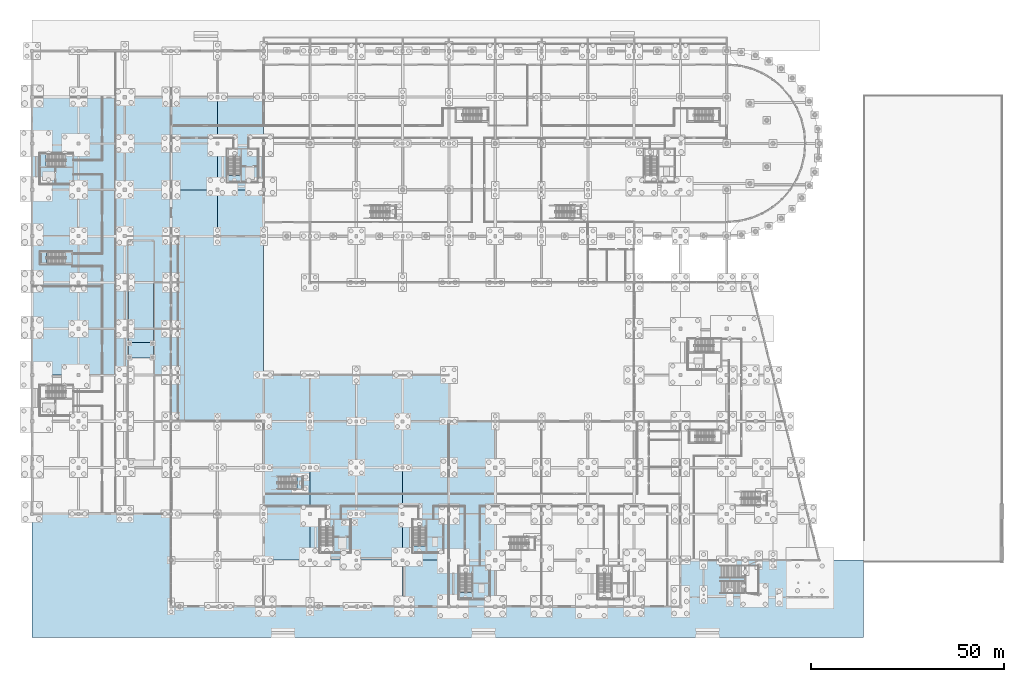
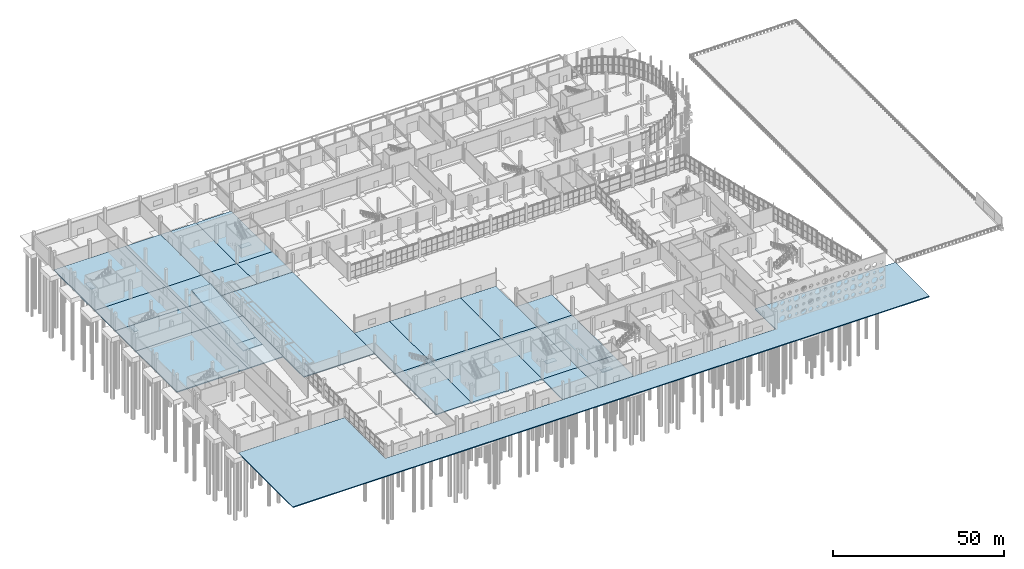
# One storey, part 63 of 117: 32 slabs, 7 elements without a shape of their own.
"""IFC4 building model written with IfcOpenShell, lengths in metres."""

from ifc_helpers import new_model, si_unit, direction, frame, origin, place, context, subcontext, project, spatial, polyline, outline, extrude, material, layer, layer_set, type_object, element, aggregate, save


model = new_model("IFC4")

# Units and contexts
model_context = context("Model", 3, precision=1e-05, world=origin(), true_north=direction((0.0, 1.0)))
body_context = subcontext(model_context, "Body", "Model", "MODEL_VIEW")
ifc_project = project(units=[si_unit("LENGTHUNIT", "METRE"), si_unit("AREAUNIT", "SQUARE_METRE"), si_unit("VOLUMEUNIT", "CUBIC_METRE"), si_unit("PLANEANGLEUNIT", "RADIAN"), si_unit("MASSUNIT", "GRAM", prefix="KILO")], contexts=[model_context])

# Site, building, storey
site_placement = place(None, origin())
site = spatial("IfcSite", under=ifc_project, at=site_placement, CompositionType="ELEMENT")
building_placement = place(site_placement, origin())
building = spatial("IfcBuilding", under=site, at=building_placement, Name="Kamomehara Wholesale Market", CompositionType="ELEMENT")
storey_placement = place(building_placement, origin())
storey = spatial("IfcBuildingStorey", under=building, at=storey_placement, Name="L00", CompositionType="ELEMENT", Elevation=0.0)

# Slabs
ifc_material_1 = material(Name="Concrete Fc30 (C30/37)", Category="concrete")
ifc_layer_1 = layer(ifc_material_1, 0.31201171875)
ifc_layer_set_1 = layer_set([ifc_layer_1], Name="Concrete Fc30 (C30/37)")
slab_type_1 = type_object("IfcSlabType", Name="SLB-BASE-300", PredefinedType="BASESLAB", material=ifc_layer_set_1)
slab_1_placement = place(storey_placement, frame((0.0, 0.0, -0.31201171875)))
element("IfcSlab", 1, at=slab_1_placement, inside=storey, type_object=slab_type_1, Name="Floor slab V1 L00 5", PredefinedType="BASESLAB", context=body_context, shape_type="SweptSolid", body=[
    extrude(outline(polyline([(60.0, 120.0), (48.0, 120.0), (48.0, 144.0), (60.0, 144.0), (60.0, 120.0)])), origin(), (0.0, 0.0, 1.0), 0.31201171875),
])
slab_2_placement = place(storey_placement, frame((0.0, 0.0, -0.31201171875)))
element("IfcSlab", 2, at=slab_2_placement, inside=storey, type_object=slab_type_1, Name="Floor slab V3 L00 25", PredefinedType="BASESLAB", context=body_context, shape_type="SweptSolid", body=[
    extrude(outline(polyline([(36.0, 72.0), (24.0, 72.0), (24.0, 96.0), (36.0, 96.0), (36.0, 72.0)])), origin(), (0.0, 0.0, 1.0), 0.31201171875),
])
slab_3_placement = place(storey_placement, frame((0.0, 0.0, -0.31201171875)))
element("IfcSlab", 3, at=slab_3_placement, inside=storey, type_object=slab_type_1, Name="Floor slab V3 L00 30", PredefinedType="BASESLAB", context=body_context, shape_type="SweptSolid", body=[
    extrude(outline(polyline([(36.0, 108.0), (24.0, 108.0), (24.0, 120.0), (36.0, 120.0), (36.0, 108.0)])), origin(), (0.0, 0.0, 1.0), 0.31201171875),
])
slab_4_placement = place(storey_placement, frame((0.0, 0.0, -0.31201171875)))
element("IfcSlab", 4, at=slab_4_placement, inside=storey, type_object=slab_type_1, Name="Floor slab V4 L00 40", PredefinedType="BASESLAB", context=body_context, shape_type="SweptSolid", body=[
    extrude(outline(polyline([(72.0, 48.0), (72.0, 24.0), (60.0, 24.0), (60.0, 48.0), (72.0, 48.0)])), origin(), (0.0, 0.0, 1.0), 0.31201171875),
])
slab_5_placement = place(storey_placement, frame((0.0, 0.0, -0.31201171875)))
element("IfcSlab", 5, at=slab_5_placement, inside=storey, type_object=slab_type_1, Name="Floor slab V4 L00 45", PredefinedType="BASESLAB", context=body_context, shape_type="SweptSolid", body=[
    extrude(outline(polyline([(108.0, 12.0), (96.0, 12.0), (96.0, 24.0), (108.0, 24.0), (108.0, 12.0)])), origin(), (0.0, 0.0, 1.0), 0.31201171875),
])
slab_6_placement = place(storey_placement, frame((0.0, 0.0, -0.31201171875)))
element("IfcSlab", 6, at=slab_6_placement, inside=storey, type_object=slab_type_1, Name="Floor slab V5 L00 50", PredefinedType="BASESLAB", context=body_context, shape_type="SweptSolid", body=[
    extrude(outline(polyline([(120.0, 48.0), (108.0, 48.0), (108.0, 60.0), (120.0, 60.0), (120.0, 48.0)])), origin(), (0.0, 0.0, 1.0), 0.31201171875),
])
ifc_material_2 = material(Name="Concrete Fc30 (C30/37)", Category="concrete")
ifc_layer_2 = layer(ifc_material_2, 0.324951171875)
ifc_layer_set_2 = layer_set([ifc_layer_2], Name="Concrete Fc30 (C30/37)")
slab_type_2 = type_object("IfcSlabType", Name="SLB-BASE-325", PredefinedType="BASESLAB", material=ifc_layer_set_2)
slab_7_placement = place(storey_placement, frame((0.0, 0.0, -0.324951171875)))
element("IfcSlab", 7, at=slab_7_placement, inside=storey, type_object=slab_type_2, Name="Floor slab V1 L00 4", PredefinedType="BASESLAB", context=body_context, shape_type="SweptSolid", body=[
    extrude(outline(polyline([(60.0, 108.0), (48.0, 108.0), (48.0, 120.0), (60.0, 120.0), (60.0, 108.0)])), origin(), (0.0, 0.0, 1.0), 0.324951171875),
])
slab_8_placement = place(storey_placement, frame((0.0, 0.0, -0.324951171875)))
element("IfcSlab", 8, at=slab_8_placement, inside=storey, type_object=slab_type_2, Name="Floor slab V4 L00 44", PredefinedType="BASESLAB", context=body_context, shape_type="SweptSolid", body=[
    extrude(outline(polyline([(96.0, 48.0), (72.0, 48.0), (72.0, 72.0), (96.0, 72.0), (96.0, 48.0)])), origin(), (0.0, 0.0, 1.0), 0.324951171875),
])
slab_9_placement = place(storey_placement, frame((0.0, 0.0, -0.324951171875)))
element("IfcSlab", 9, at=slab_9_placement, inside=storey, type_object=slab_type_2, Name="Floor slab V5 L00 49", PredefinedType="BASESLAB", context=body_context, shape_type="SweptSolid", body=[
    extrude(outline(polyline([(120.0, 48.0), (120.0, 24.0), (108.0, 24.0), (108.0, 48.0), (120.0, 48.0)])), origin(), (0.0, 0.0, 1.0), 0.324951171875),
])
ifc_material_3 = material(Name="Concrete Fc30 (C30/37)", Category="concrete")
ifc_layer_3 = layer(ifc_material_3, 0.35009765625)
ifc_layer_set_3 = layer_set([ifc_layer_3], Name="Concrete Fc30 (C30/37)")
slab_type_3 = type_object("IfcSlabType", Name="SLB-BASE-350", PredefinedType="BASESLAB", material=ifc_layer_set_3)
slab_10_placement = place(storey_placement, frame((0.0, 0.0, -0.35009765625)))
element("IfcSlab", 10, at=slab_10_placement, inside=storey, type_object=slab_type_3, Name="Floor slab V1 L00 1", PredefinedType="BASESLAB", context=body_context, shape_type="SweptSolid", body=[
    extrude(outline(polyline([(48.0, 120.0), (48.0, 108.0), (36.0, 108.0), (36.0, 120.0), (48.0, 120.0)])), origin(), (0.0, 0.0, 1.0), 0.35009765625),
])
slab_11_placement = place(storey_placement, frame((0.0, 0.0, -0.35009765625)))
element("IfcSlab", 11, at=slab_11_placement, inside=storey, type_object=slab_type_3, Name="Floor slab V3 L00 21", PredefinedType="BASESLAB", context=body_context, shape_type="SweptSolid", body=[
    extrude(outline(polyline([(24.0, 96.0), (24.0, 72.0), (0.0, 72.0), (0.0, 96.0), (24.0, 96.0)])), origin(), (0.0, 0.0, 1.0), 0.35009765625),
])
slab_12_placement = place(storey_placement, frame((0.0, 0.0, -0.35009765625)))
element("IfcSlab", 12, at=slab_12_placement, inside=storey, type_object=slab_type_3, Name="Floor slab V3 L00 26", PredefinedType="BASESLAB", context=body_context, shape_type="SweptSolid", body=[
    extrude(outline(polyline([(36.0, 96.0), (24.0, 96.0), (24.0, 108.0), (36.0, 108.0), (36.0, 96.0)])), origin(), (0.0, 0.0, 1.0), 0.35009765625),
])
slab_13_placement = place(storey_placement, frame((0.0, 0.0, -0.35009765625)))
element("IfcSlab", 13, at=slab_13_placement, inside=storey, type_object=slab_type_3, Name="Floor slab V3 L00 31", PredefinedType="BASESLAB", context=body_context, shape_type="SweptSolid", body=[
    extrude(outline(polyline([(36.0, 120.0), (24.0, 120.0), (24.0, 144.0), (36.0, 144.0), (36.0, 120.0)])), origin(), (0.0, 0.0, 1.0), 0.35009765625),
])
slab_14_placement = place(storey_placement, frame((0.0, 0.0, -0.35009765625)))
element("IfcSlab", 14, at=slab_14_placement, inside=storey, type_object=slab_type_3, Name="Floor slab V4 L00 41", PredefinedType="BASESLAB", context=body_context, shape_type="SweptSolid", body=[
    extrude(outline(polyline([(72.0, 48.0), (60.0, 48.0), (60.0, 72.0), (72.0, 72.0), (72.0, 48.0)])), origin(), (0.0, 0.0, 1.0), 0.35009765625),
])
slab_15_placement = place(storey_placement, frame((0.0, 0.0, -0.35009765625)))
element("IfcSlab", 15, at=slab_15_placement, inside=storey, type_object=slab_type_3, Name="Floor slab V4 L00 46", PredefinedType="BASESLAB", context=body_context, shape_type="SweptSolid", body=[
    extrude(outline(polyline([(108.0, 24.0), (96.0, 24.0), (96.0, 48.0), (108.0, 48.0), (108.0, 24.0)])), origin(), (0.0, 0.0, 1.0), 0.35009765625),
])
ifc_material_4 = material(Name="Concrete Fc30 (C30/37)", Category="concrete")
ifc_layer_4 = layer(ifc_material_4, 0.3798828125)
ifc_layer_set_4 = layer_set([ifc_layer_4], Name="Concrete Fc30 (C30/37)")
slab_type_4 = type_object("IfcSlabType", Name="SLB-BASE-380", PredefinedType="BASESLAB", material=ifc_layer_set_4)
slab_16_placement = place(storey_placement, frame((0.0, 0.0, -0.3798828125)))
element("IfcSlab", 16, at=slab_16_placement, inside=storey, type_object=slab_type_4, Name="Floor slab V1 L00 2", PredefinedType="BASESLAB", context=body_context, shape_type="SweptSolid", body=[
    extrude(outline(polyline([(48.0, 144.0), (48.0, 120.0), (36.0, 120.0), (36.0, 144.0), (48.0, 144.0)])), origin(), (0.0, 0.0, 1.0), 0.3798828125),
])
slab_17_placement = place(storey_placement, frame((0.0, 0.0, -0.3798828125)))
element("IfcSlab", 17, at=slab_17_placement, inside=storey, type_object=slab_type_4, Name="Floor slab V3 L00 22", PredefinedType="BASESLAB", context=body_context, shape_type="SweptSolid", body=[
    extrude(outline(polyline([(24.0, 96.0), (0.0, 96.0), (0.0, 108.0), (24.0, 108.0), (24.0, 96.0)])), origin(), (0.0, 0.0, 1.0), 0.3798828125),
])
slab_18_placement = place(storey_placement, frame((0.0, 0.0, -0.3798828125)))
element("IfcSlab", 18, at=slab_18_placement, inside=storey, type_object=slab_type_4, Name="Floor slab V3 L00 27", PredefinedType="BASESLAB", context=body_context, shape_type="SweptSolid", body=[
    extrude(outline(polyline([(24.0, 120.0), (24.0, 108.0), (0.0, 108.0), (0.0, 120.0), (24.0, 120.0)])), origin(), (0.0, 0.0, 1.0), 0.3798828125),
])
slab_19_placement = place(storey_placement, frame((0.0, 0.0, -0.3798828125)))
element("IfcSlab", 19, at=slab_19_placement, inside=storey, type_object=slab_type_4, Name="Floor slab V4 L00 47", PredefinedType="BASESLAB", context=body_context, shape_type="SweptSolid", body=[
    extrude(outline(polyline([(108.0, 48.0), (96.0, 48.0), (96.0, 72.0), (108.0, 72.0), (108.0, 48.0)])), origin(), (0.0, 0.0, 1.0), 0.3798828125),
])
ifc_material_5 = material(Name="Concrete Fc30 (C30/37)", Category="concrete")
ifc_layer_5 = layer(ifc_material_5, 0.39990234375)
ifc_layer_set_5 = layer_set([ifc_layer_5], Name="Concrete Fc30 (C30/37)")
slab_type_5 = type_object("IfcSlabType", Name="SLB-BASE-400", PredefinedType="BASESLAB", material=ifc_layer_set_5)
slab_20_placement = place(storey_placement, frame((0.0, 0.0, -0.39990234375)))
element("IfcSlab", 20, at=slab_20_placement, inside=storey, type_object=slab_type_5, Name="Floor slab V3 L00 28", PredefinedType="BASESLAB", context=body_context, shape_type="SweptSolid", body=[
    extrude(outline(polyline([(24.0, 144.0), (24.0, 120.0), (0.0, 120.0), (0.0, 144.0), (24.0, 144.0)])), origin(), (0.0, 0.0, 1.0), 0.39990234375),
])
slab_21_placement = place(storey_placement, frame((0.0, 0.0, -0.39990234375)))
element("IfcSlab", 21, at=slab_21_placement, inside=storey, type_object=slab_type_5, Name="Floor slab V4 L00 43", PredefinedType="BASESLAB", context=body_context, shape_type="SweptSolid", body=[
    extrude(outline(polyline([(72.0, 24.0), (72.0, 48.0), (96.0, 48.0), (96.0, 24.0), (72.0, 24.0)])), origin(), (0.0, 0.0, 1.0), 0.39990234375),
])
slab_22_placement = place(storey_placement, frame((0.0, 0.0, -0.39990234375)))
element("IfcSlab", 22, at=slab_22_placement, inside=storey, type_object=slab_type_5, Name="Floor slab V5 L00 48", PredefinedType="BASESLAB", context=body_context, shape_type="SweptSolid", body=[
    extrude(outline(polyline([(120.0, 24.0), (120.0, 12.0), (108.0, 12.0), (108.0, 24.0), (120.0, 24.0)])), origin(), (0.0, 0.0, 1.0), 0.39990234375),
])
ifc_material_6 = material(Name="Concrete Fc30 (C30/37)", Category="concrete")
ifc_layer_6 = layer(ifc_material_6, 0.31494140625)
ifc_layer_set_6 = layer_set([ifc_layer_6], Name="Concrete Fc30 (C30/37)")
slab_type_6 = type_object("IfcSlabType", Name="SLB-EXT-200", PredefinedType="FLOOR", material=ifc_layer_set_6)
slab_23_placement = place(storey_placement, frame((0.0, 0.0, -0.31494140625)))
element("IfcSlab", 23, at=slab_23_placement, inside=storey, type_object=slab_type_6, Name="External slab OSLB-L00-APRON-E", PredefinedType="FLOOR", context=body_context, shape_type="SweptSolid", body=[
    extrude(outline(polyline([(36.0, 60.0), (60.0, 60.0), (60.0, 108.0), (36.0, 108.0), (36.0, 60.0)])), origin(), (0.0, 0.0, 1.0), 0.31494140625),
])
ifc_material_7 = material(Name="Concrete Fc30 (C30/37)", Category="concrete")
ifc_layer_7 = layer(ifc_material_7, 0.3349609375)
ifc_layer_set_7 = layer_set([ifc_layer_7], Name="Concrete Fc30 (C30/37)")
slab_type_7 = type_object("IfcSlabType", Name="SLB-EXT-240", PredefinedType="FLOOR", material=ifc_layer_set_7)
slab_24_placement = place(storey_placement, frame((0.0, 0.0, -0.3349609375)))
element("IfcSlab", 24, at=slab_24_placement, inside=storey, type_object=slab_type_7, Name="External slab OSLB-L00-FORECOURT", PredefinedType="FLOOR", context=body_context, shape_type="SweptSolid", body=[
    extrude(outline(polyline([(0.0, 4.0), (215.5, 4.0), (215.5, 24.0), (168.0, 24.0), (168.0, 12.0), (36.0, 12.0), (36.0, 36.0), (0.0, 36.0), (0.0, 4.0)])), origin(), (0.0, 0.0, 1.0), 0.3349609375),
])

# Stair, slab
ifc_material_8 = material(Name="Concrete Fc36 (C35/45)", Category="concrete")
stair_type_1 = type_object("IfcStairType", Name="STR-DL-02", PredefinedType="HALF_TURN_STAIR", material=ifc_material_8)
stair_1_placement = place(storey_placement, origin())
stair_1 = element("IfcStair", 25, at=stair_1_placement, inside=storey, type_object=stair_type_1, Name="L00 Core exit stair ST-01", PredefinedType="HALF_TURN_STAIR")
ifc_material_9 = material(Name="Concrete Fc36 (C35/45)", Category="concrete")
ifc_layer_8 = layer(ifc_material_9, 0.199951171875)
ifc_layer_set_8 = layer_set([ifc_layer_8], Name="Concrete Fc36 (C35/45)")
slab_type_8 = type_object("IfcSlabType", Name="SLB-LND-200", PredefinedType="LANDING", material=ifc_layer_set_8)
slab_25_placement = place(storey_placement, frame((0.0, 0.0, 3.10009765625)))
slab_25 = element("IfcSlab", 26, at=slab_25_placement, type_object=slab_type_8, Name="ST-01 landing 1", PredefinedType="LANDING", context=body_context, shape_type="SweptSolid", body=[
    extrude(outline(polyline([(50.699951171875, 123.64990234375), (50.699951171875, 122.050048828125), (54.10009765625, 122.050048828125), (54.10009765625, 123.64990234375), (50.699951171875, 123.64990234375)])), origin(), (0.0, 0.0, 1.0), 0.199951171875),
])
aggregate(stair_1, [slab_25])

stair_2_placement = place(storey_placement, origin())
stair_2 = element("IfcStair", 27, at=stair_2_placement, inside=storey, type_object=stair_type_1, Name="L00 Core exit stair ST-04", PredefinedType="HALF_TURN_STAIR")
slab_26_placement = place(storey_placement, frame((0.0, 0.0, 3.10009765625)))
slab_26 = element("IfcSlab", 28, at=slab_26_placement, type_object=slab_type_8, Name="ST-04 landing 1", PredefinedType="LANDING", context=body_context, shape_type="SweptSolid", body=[
    extrude(outline(polyline([(3.64990234375, 129.300048828125), (2.050048828125, 129.300048828125), (2.050048828125, 125.89990234375), (3.64990234375, 125.89990234375), (3.64990234375, 129.300048828125)])), origin(), (0.0, 0.0, 1.0), 0.199951171875),
])
aggregate(stair_2, [slab_26])

stair_3_placement = place(storey_placement, origin())
stair_3 = element("IfcStair", 29, at=stair_3_placement, inside=storey, type_object=stair_type_1, Name="L00 Core exit stair ST-06", PredefinedType="HALF_TURN_STAIR")
slab_27_placement = place(storey_placement, frame((0.0, 0.0, 3.10009765625)))
slab_27 = element("IfcSlab", 30, at=slab_27_placement, type_object=slab_type_8, Name="ST-06 landing 1", PredefinedType="LANDING", context=body_context, shape_type="SweptSolid", body=[
    extrude(outline(polyline([(98.699951171875, 27.64990234375), (98.699951171875, 26.050048828125), (102.10009765625, 26.050048828125), (102.10009765625, 27.64990234375), (98.699951171875, 27.64990234375)])), origin(), (0.0, 0.0, 1.0), 0.199951171875),
])
aggregate(stair_3, [slab_27])

stair_4_placement = place(storey_placement, origin())
stair_4 = element("IfcStair", 31, at=stair_4_placement, inside=storey, type_object=stair_type_1, Name="L00 Core exit stair ST-07", PredefinedType="HALF_TURN_STAIR")
slab_28_placement = place(storey_placement, frame((0.0, 0.0, 3.10009765625)))
slab_28 = element("IfcSlab", 32, at=slab_28_placement, type_object=slab_type_8, Name="ST-07 landing 1", PredefinedType="LANDING", context=body_context, shape_type="SweptSolid", body=[
    extrude(outline(polyline([(110.699951171875, 15.64990234375), (110.699951171875, 14.050048828125), (114.10009765625, 14.050048828125), (114.10009765625, 15.64990234375), (110.699951171875, 15.64990234375)])), origin(), (0.0, 0.0, 1.0), 0.199951171875),
])
aggregate(stair_4, [slab_28])

stair_5_placement = place(storey_placement, origin())
stair_5 = element("IfcStair", 33, at=stair_5_placement, inside=storey, type_object=stair_type_1, Name="L00 Exit stair ST-15", PredefinedType="HALF_TURN_STAIR")
slab_29_placement = place(storey_placement, frame((0.0, 0.0, 3.10009765625)))
slab_29 = element("IfcSlab", 34, at=slab_29_placement, type_object=slab_type_8, Name="ST-15 landing 1", PredefinedType="LANDING", context=body_context, shape_type="SweptSolid", body=[
    extrude(outline(polyline([(3.659912109375, 103.85009765625), (2.219970703125, 103.85009765625), (2.219970703125, 100.77001953125), (3.659912109375, 100.77001953125), (3.659912109375, 103.85009765625)])), origin(), (0.0, 0.0, 1.0), 0.199951171875),
])
aggregate(stair_5, [slab_29])

ifc_material_10 = material(Name="Concrete Fc36 (C35/45)", Category="concrete")
stair_type_2 = type_object("IfcStairType", Name="STR-DL-05", PredefinedType="HALF_TURN_STAIR", material=ifc_material_10)
stair_6_placement = place(storey_placement, origin())
stair_6 = element("IfcStair", 35, at=stair_6_placement, inside=storey, type_object=stair_type_2, Name="L00 Exit stair ST-16", PredefinedType="HALF_TURN_STAIR")
slab_30_placement = place(storey_placement, frame((0.0, 0.0, 3.10009765625)))
slab_30 = element("IfcSlab", 36, at=slab_30_placement, type_object=slab_type_8, Name="ST-16 landing 1", PredefinedType="LANDING", context=body_context, shape_type="SweptSolid", body=[
    extrude(outline(polyline([(68.675048828125, 42.35009765625), (70.25, 42.35009765625), (70.25, 45.699951171875), (68.675048828125, 45.699951171875), (68.675048828125, 42.35009765625)])), origin(), (0.0, 0.0, 1.0), 0.199951171875),
])
aggregate(stair_6, [slab_30])

# Ramp, slabs
ifc_material_11 = material(Name="Concrete Fc36 (C35/45)", Category="concrete")
ramp_type = type_object("IfcRampType", Name="RMP-VEH-01", PredefinedType="STRAIGHT_RUN_RAMP", material=ifc_material_11)
ramp_placement = place(storey_placement, origin())
ramp = element("IfcRamp", 37, at=ramp_placement, inside=storey, type_object=ramp_type, Name="Covered truck service ramp VR-01", PredefinedType="STRAIGHT_RUN_RAMP")
ifc_material_12 = material(Name="Concrete Fc36 (C35/45)", Category="concrete")
ifc_layer_9 = layer(ifc_material_12, 0.300048828125)
ifc_layer_set_9 = layer_set([ifc_layer_9], Name="Concrete Fc36 (C35/45)")
slab_type_9 = type_object("IfcSlabType", Name="SLB-RLND-300", PredefinedType="LANDING", material=ifc_layer_set_9)
slab_31_placement = place(storey_placement, frame((0.0, 0.0, 3.0)))
slab_31 = element("IfcSlab", 38, at=slab_31_placement, type_object=slab_type_9, Name="Truck service ramp landing", PredefinedType="LANDING", context=body_context, shape_type="SweptSolid", body=[
    extrude(outline(polyline([(25.0, 76.39990234375), (31.5, 76.39990234375), (31.5, 80.39990234375), (25.0, 80.39990234375), (25.0, 76.39990234375)])), origin(), (0.0, 0.0, 1.0), 0.300048828125),
])
ifc_material_13 = material(Name="Concrete Fc36 (C35/45)", Category="concrete")
ifc_layer_10 = layer(ifc_material_13, 0.300048828125)
ifc_layer_set_10 = layer_set([ifc_layer_10], Name="Concrete Fc36 (C35/45)")
slab_type_10 = type_object("IfcSlabType", Name="SLB-VRMP-300", PredefinedType="FLOOR", material=ifc_layer_set_10)
slab_32_placement = place(storey_placement, frame((25.0, 80.39990234375, 3.300048828125), z_axis=(0.0, -0.124035863978, 0.992277735539), x_axis=(1.0, 0.0, 0.0)))
slab_32 = element("IfcSlab", 39, at=slab_32_placement, type_object=slab_type_10, Name="Vehicle truck service ramp slab 2", PredefinedType="FLOOR", context=body_context, shape_type="SweptSolid", body=[
    extrude(outline(polyline([(0.0, 0.0), (6.5, 0.0), (6.5, 26.605601978990567), (0.0, 26.605601978990567), (0.0, 0.0)])), origin(), (0.0, 0.0, -1.0), 0.300048828125),
])
aggregate(ramp, [slab_31, slab_32])

save(model, "model.ifc")
